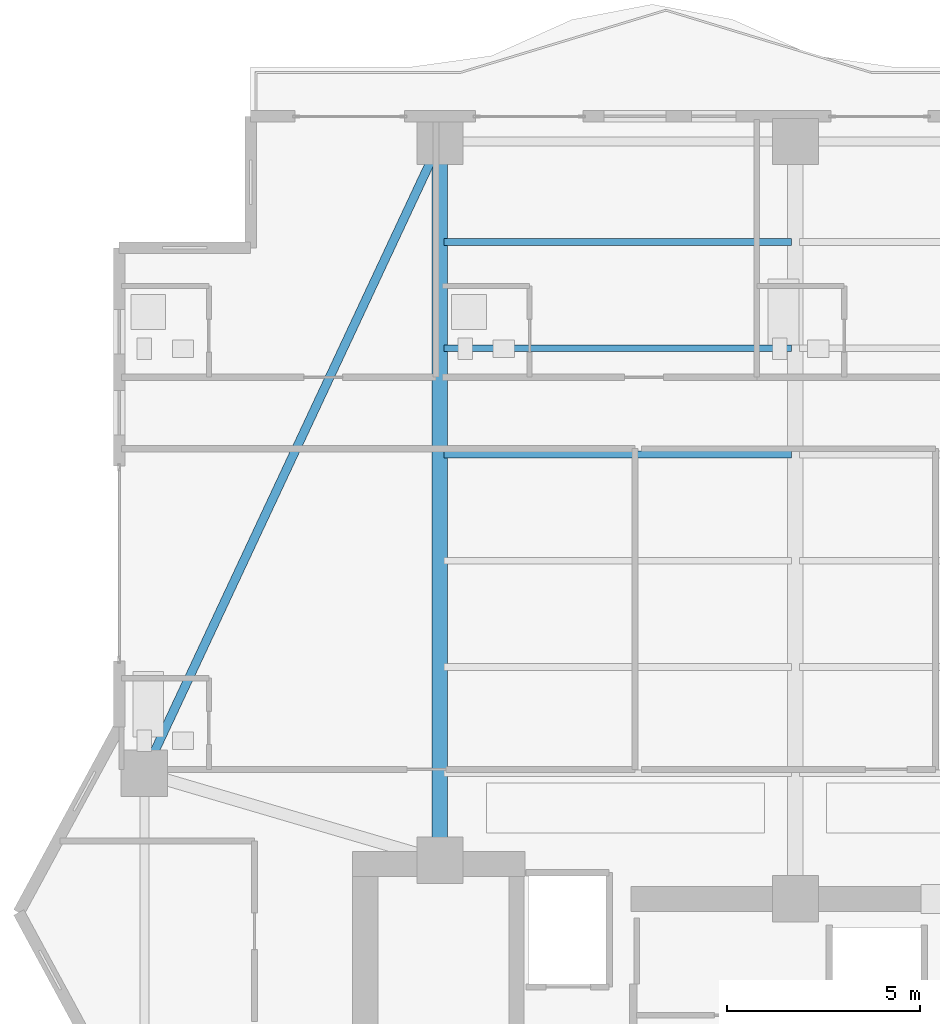
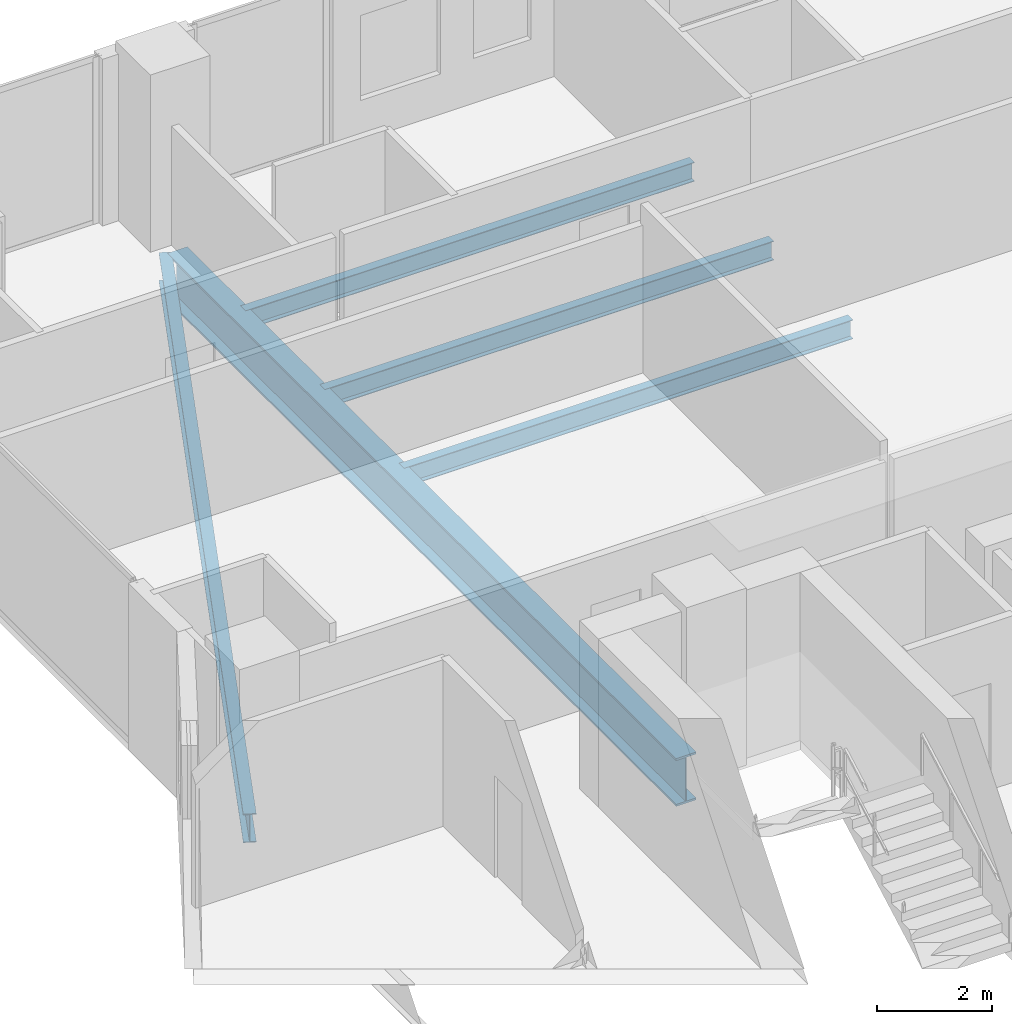
# One storey, part 16 of 32: 5 beams.
"""IFC4 building model written with IfcOpenShell, lengths in metres."""

from ifc_helpers import new_model, si_unit, direction, frame, origin, origin_2d, place, context, subcontext, project, spatial, i_section, extrude, material, material_profile, profile_set, type_object, element, save


model = new_model("IFC4")

# Units and contexts
model_context = context("Model", 3, precision=1e-05, world=origin(), true_north=direction((0.0, 1.0)))
body_context = subcontext(model_context, "Body", "Model", "MODEL_VIEW")
ifc_project = project(units=[si_unit("LENGTHUNIT", "METRE"), si_unit("AREAUNIT", "SQUARE_METRE"), si_unit("VOLUMEUNIT", "CUBIC_METRE"), si_unit("PLANEANGLEUNIT", "RADIAN"), si_unit("MASSUNIT", "GRAM", prefix="KILO")], contexts=[model_context])

# Site, building, storey
site_placement = place(None, origin())
site = spatial("IfcSite", under=ifc_project, at=site_placement, CompositionType="ELEMENT")
building_placement = place(site_placement, origin())
building = spatial("IfcBuilding", under=site, at=building_placement, Name="Zuhayl Quay Hotel", CompositionType="ELEMENT")
storey_placement = place(building_placement, frame((0.0, 0.0, 192.39990234375)))
storey = spatial("IfcBuildingStorey", under=building, at=storey_placement, Name="L48", CompositionType="ELEMENT", Elevation=192.39990234375)

# Beams
ifc_material = material(Name="Steel ASTM A992 Grade 50", Category="steel")
ifc_material_profile_1 = material_profile(ifc_material, i_section(OverallWidth=0.22802734375, OverallDepth=0.60693359375, WebThickness=0.01123046875, FlangeThickness=0.017333984375, at=origin_2d()), Name="W24X76")
ifc_profile_set_1 = profile_set([ifc_material_profile_1], Name="Steel ASTM A992 Grade 50")
beam_type_1 = type_object("IfcBeamType", Name="BM_B3_W24X76", PredefinedType="BEAM", material=ifc_profile_set_1)
beam_1_placement = place(storey_placement, frame((-14.011962890625, 32.4970703125, -0.5234375), z_axis=(-0.423792164429, -0.905759461098, 0.0), x_axis=(0.905759461098, -0.423792164429, 0.0)))
element("IfcBeam", 1, at=beam_1_placement, inside=storey, type_object=beam_type_1, Name="L48 Floor Beam RG_L48_10", PredefinedType="BEAM", context=body_context, shape_type="SweptSolid", body=[
    extrude(i_section(OverallWidth=0.22802734375, OverallDepth=0.60693359375, WebThickness=0.01123046875, FlangeThickness=0.017333984375, at=origin_2d()), origin(), (0.0, 0.0, 1.0), 17.051025390625),
])
ifc_material_profile_2 = material_profile(ifc_material, i_section(OverallWidth=0.177978515625, OverallDepth=0.406005859375, WebThickness=0.0078125, FlangeThickness=0.0126953125, at=origin_2d()), Name="W16X40")
ifc_profile_set_2 = profile_set([ifc_material_profile_2], Name="Steel ASTM A992 Grade 50")
beam_type_2 = type_object("IfcBeamType", Name="BM_J2B_W16X40", PredefinedType="JOIST", material=ifc_profile_set_2)
for number, where, z_axis, x_axis, name in (
    (2, (-13.694091796875, 24.85009765625, -0.4228515625), (1.0, 0.0, 0.0), (0.0, 1.0, 0.0), "L48 Floor Beam FJ_L48_4_1"),
    (3, (-13.694091796875, 27.60009765625, -0.4228515625), (1.0, 0.0, 0.0), (0.0, 1.0, 0.0), "L48 Floor Beam FJ_L48_5_1"),
    (4, (-13.694091796875, 30.35009765625, -0.4228515625), (1.0, 0.0, 0.0), (0.0, 1.0, 0.0), "L48 Floor Beam FJ_L48_6_1"),
):
    element("IfcBeam", number, at=place(storey_placement, frame(where, z_axis=z_axis, x_axis=x_axis)), inside=storey, type_object=beam_type_2, Name=name, PredefinedType="JOIST", context=body_context, shape_type="SweptSolid", body=[
        extrude(i_section(OverallWidth=0.177978515625, OverallDepth=0.406005859375, WebThickness=0.0078125, FlangeThickness=0.0126953125, at=origin_2d()), origin(), (0.0, 0.0, 1.0), 8.988037109375),
    ])
ifc_material_profile_3 = material_profile(ifc_material, i_section(OverallWidth=0.40087890625, OverallDepth=1.010986328125, WebThickness=0.023681640625, FlangeThickness=0.0419921875, at=origin_2d()), Name="W40X297")
ifc_profile_set_3 = profile_set([ifc_material_profile_3], Name="Steel ASTM A992 Grade 50")
beam_type_3 = type_object("IfcBeamType", Name="BM_TG2_W40X297", PredefinedType="BEAM", material=ifc_profile_set_3)
beam_2_placement = place(storey_placement, frame((-13.800048828125, 14.800048828125, -0.725341796875), z_axis=(0.0, 1.0, 0.0), x_axis=(-1.0, 0.0, 0.0)))
element("IfcBeam", 5, at=beam_2_placement, inside=storey, type_object=beam_type_3, Name="L48 Floor Beam FG_N_L48_1", PredefinedType="BEAM", context=body_context, shape_type="SweptSolid", body=[
    extrude(i_section(OverallWidth=0.40087890625, OverallDepth=1.010986328125, WebThickness=0.023681640625, FlangeThickness=0.0419921875, at=origin_2d()), origin(), (0.0, 0.0, 1.0), 17.64990234375),
])

save(model, "model.ifc")
